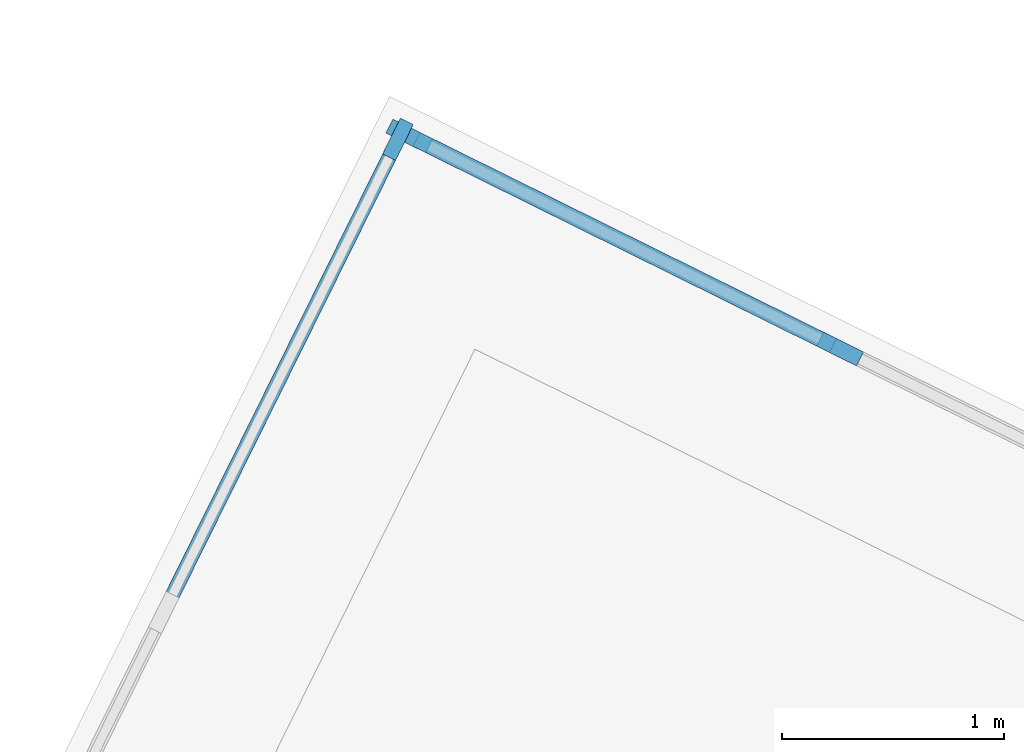
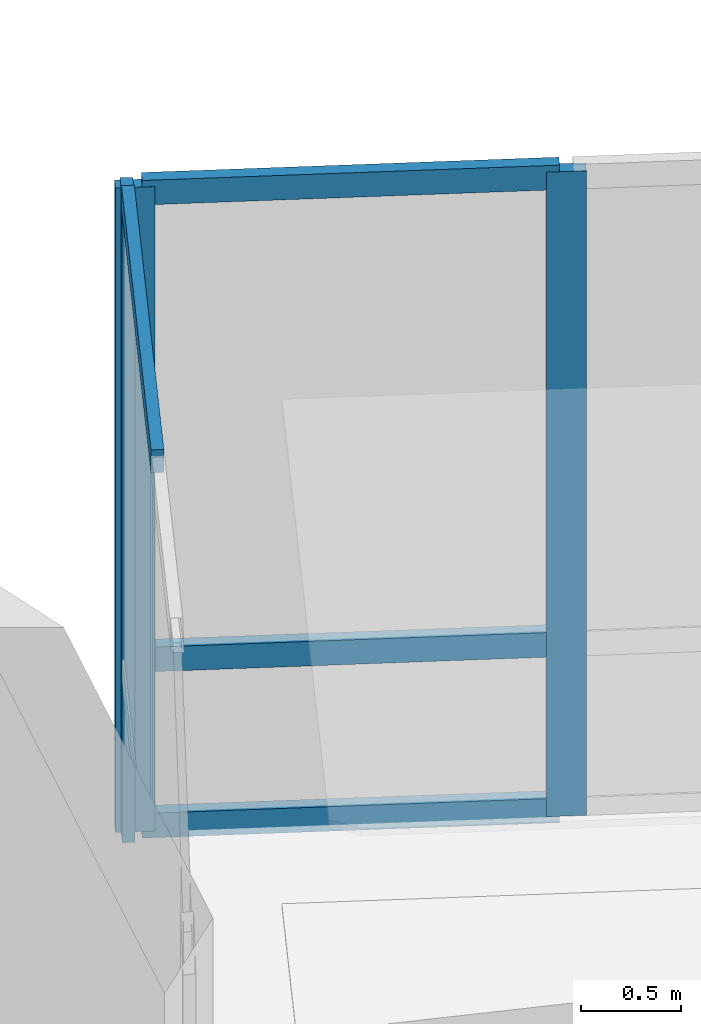
# One storey, part 53 of 125: 7 members, 2 elements without a shape of their own.
"""IFC4 building model written with IfcOpenShell, lengths in metres."""

from ifc_helpers import new_model, si_unit, direction, frame, origin, origin_2d, place, context, subcontext, project, spatial, rectangle, extrude, material, material_profile, profile_set, type_object, element, aggregate, save


model = new_model("IFC4")

# Units and contexts
model_context = context("Model", 3, precision=1e-05, world=origin(), true_north=direction((0.0, 1.0)))
body_context = subcontext(model_context, "Body", "Model", "MODEL_VIEW")
ifc_project = project(units=[si_unit("LENGTHUNIT", "METRE"), si_unit("AREAUNIT", "SQUARE_METRE"), si_unit("VOLUMEUNIT", "CUBIC_METRE"), si_unit("PLANEANGLEUNIT", "RADIAN"), si_unit("MASSUNIT", "GRAM", prefix="KILO")], contexts=[model_context])

# Site, building, storey
site_placement = place(None, origin())
site = spatial("IfcSite", under=ifc_project, at=site_placement, CompositionType="ELEMENT")
building_placement = place(site_placement, origin())
building = spatial("IfcBuilding", under=site, at=building_placement, Name="Wrenclough Park School", CompositionType="ELEMENT")
storey_placement = place(building_placement, frame((0.0, 0.0, 4.199951171875)))
storey = spatial("IfcBuildingStorey", under=building, at=storey_placement, Name="L01", CompositionType="ELEMENT", Elevation=4.199951171875)

# Curtain wall, member
ifc_material_1 = material(Name="Thermally broken aluminium and low-e glass curtain wall", Category="aluminium")
curtain_wall_type_1 = type_object("IfcCurtainWallType", Name="ENV-CW-14", PredefinedType="USERDEFINED", material=ifc_material_1)
curtain_wall_1_placement = place(storey_placement, origin())
curtain_wall_1 = element("IfcCurtainWall", 1, at=curtain_wall_1_placement, inside=storey, type_object=curtain_wall_type_1, Name="L01 recessed curtain wall assembly 109", ObjectType="CURTAIN WALL", PredefinedType="USERDEFINED")
ifc_material_2 = material(Name="Thermally broken anodised aluminium", Category="aluminium")
ifc_material_profile_1 = material_profile(ifc_material_2, rectangle(XDim=0.06494140625, YDim=0.179931640625, at=origin_2d()), Name="AL MULLION 65x180")
ifc_profile_set_1 = profile_set([ifc_material_profile_1], Name="Thermally broken anodised aluminium")
member_type_1 = type_object("IfcMemberType", Name="ENV-CWM-2", PredefinedType="MULLION", material=ifc_profile_set_1)
member_1_placement = place(storey_placement, frame((128.078369140625, 121.42919921875, 0.0), z_axis=(0.0, 0.0, 1.0), x_axis=(-0.896270505341, 0.4435078142, 0.0)))
member_1 = element("IfcMember", 2, at=member_1_placement, type_object=member_type_1, Name="CW-14 mullion 3", PredefinedType="MULLION", context=body_context, shape_type="SweptSolid", body=[
    extrude(rectangle(XDim=0.06494140625, YDim=0.179931640625, at=origin_2d()), origin(), (0.0, 0.0, 1.0), 3.93994140625),
])

# Curtain wall, members
curtain_wall_type_2 = type_object("IfcCurtainWallType", Name="ENV-CW-15", PredefinedType="USERDEFINED", material=ifc_material_1)
curtain_wall_2_placement = place(storey_placement, origin())
curtain_wall_2 = element("IfcCurtainWall", 3, at=curtain_wall_2_placement, inside=storey, type_object=curtain_wall_type_2, Name="L01 recessed curtain wall assembly 110", ObjectType="CURTAIN WALL", PredefinedType="USERDEFINED")
ifc_material_profile_2 = material_profile(ifc_material_2, rectangle(XDim=0.070068359375, YDim=0.199951171875, at=origin_2d()), Name="AL MULLION 70x200")
ifc_profile_set_2 = profile_set([ifc_material_profile_2], Name="Thermally broken anodised aluminium")
member_type_2 = type_object("IfcMemberType", Name="ENV-CWM-3", PredefinedType="MULLION", material=ifc_profile_set_2)
member_2_placement = place(storey_placement, frame((128.12939453125, 121.444580078125, 0.0), z_axis=(0.0, 0.0, 1.0), x_axis=(0.443511318294, 0.896268771377, 0.0)))
member_2 = element("IfcMember", 4, at=member_2_placement, type_object=member_type_2, Name="CW-15 mullion 1", PredefinedType="MULLION", context=body_context, shape_type="SweptSolid", body=[
    extrude(rectangle(XDim=0.070068359375, YDim=0.199951171875, at=origin_2d()), origin(), (0.0, 0.0, 1.0), 3.93994140625),
])
member_3_placement = place(storey_placement, frame((130.069091796875, 120.48486328125, 0.0), z_axis=(0.0, 0.0, 1.0), x_axis=(0.443511318294, 0.896268771377, 0.0)))
member_3 = element("IfcMember", 5, at=member_3_placement, type_object=member_type_2, Name="CW-15 mullion 2", PredefinedType="MULLION", context=body_context, shape_type="SweptSolid", body=[
    extrude(rectangle(XDim=0.070068359375, YDim=0.199951171875, at=origin_2d()), origin(), (0.0, 0.0, 1.0), 3.93994140625),
])

# Member
ifc_material_profile_3 = material_profile(ifc_material_2, rectangle(XDim=0.06494140625, YDim=0.139892578125, at=origin_2d()), Name="AL TRANSOM 65x140")
ifc_profile_set_3 = profile_set([ifc_material_profile_3], Name="Thermally broken anodised aluminium")
member_type_3 = type_object("IfcMemberType", Name="ENV-CWT-2", PredefinedType="USERDEFINED", material=ifc_profile_set_3)
member_4_placement = place(storey_placement, frame((127.03857421875, 119.327880859375, 3.907470703125), z_axis=(0.443492841606, 0.896277914179, 0.0), x_axis=(-0.896277914179, 0.443492841606, 0.0)))
member_4 = element("IfcMember", 6, at=member_4_placement, type_object=member_type_3, Name="CW-14 transom 2.3", ObjectType="TRANSOM", PredefinedType="USERDEFINED", context=body_context, shape_type="SweptSolid", body=[
    extrude(rectangle(XDim=0.06494140625, YDim=0.139892578125, at=origin_2d()), origin(), (0.0, 0.0, 1.0), 2.31201171875),
])

aggregate(curtain_wall_1, [member_1, member_4])

ifc_material_profile_4 = material_profile(ifc_material_2, rectangle(XDim=0.070068359375, YDim=0.14990234375, at=origin_2d()), Name="AL TRANSOM 70x150")
ifc_profile_set_4 = profile_set([ifc_material_profile_4], Name="Thermally broken anodised aluminium")
member_type_4 = type_object("IfcMemberType", Name="ENV-CWT-3", PredefinedType="USERDEFINED", material=ifc_profile_set_4)
member_5_placement = place(storey_placement, frame((128.160888671875, 121.42919921875, 0.03515625), z_axis=(0.896284727587, -0.443479071766, 0.0), x_axis=(0.443479071766, 0.896284727587, 0.0)))
member_5 = element("IfcMember", 7, at=member_5_placement, type_object=member_type_4, Name="CW-15 transom 1.1", ObjectType="TRANSOM", PredefinedType="USERDEFINED", context=body_context, shape_type="SweptSolid", body=[
    extrude(rectangle(XDim=0.070068359375, YDim=0.14990234375, at=origin_2d()), origin(), (0.0, 0.0, 1.0), 2.09423828125),
])

member_6_placement = place(storey_placement, frame((128.160888671875, 121.42919921875, 1.050048828125), z_axis=(0.896284727587, -0.443479071766, 0.0), x_axis=(0.443479071766, 0.896284727587, 0.0)))
member_6 = element("IfcMember", 8, at=member_6_placement, type_object=member_type_4, Name="CW-15 transom 1.2", ObjectType="TRANSOM", PredefinedType="USERDEFINED", context=body_context, shape_type="SweptSolid", body=[
    extrude(rectangle(XDim=0.070068359375, YDim=0.14990234375, at=origin_2d()), origin(), (0.0, 0.0, 1.0), 2.09423828125),
])

member_7_placement = place(storey_placement, frame((128.160888671875, 121.42919921875, 3.905029296875), z_axis=(0.896284727587, -0.443479071766, 0.0), x_axis=(0.443479071766, 0.896284727587, 0.0)))
member_7 = element("IfcMember", 9, at=member_7_placement, type_object=member_type_4, Name="CW-15 transom 1.3", ObjectType="TRANSOM", PredefinedType="USERDEFINED", context=body_context, shape_type="SweptSolid", body=[
    extrude(rectangle(XDim=0.070068359375, YDim=0.14990234375, at=origin_2d()), origin(), (0.0, 0.0, 1.0), 2.09423828125),
])

aggregate(curtain_wall_2, [member_2, member_3, member_5, member_6, member_7])

save(model, "model.ifc")
